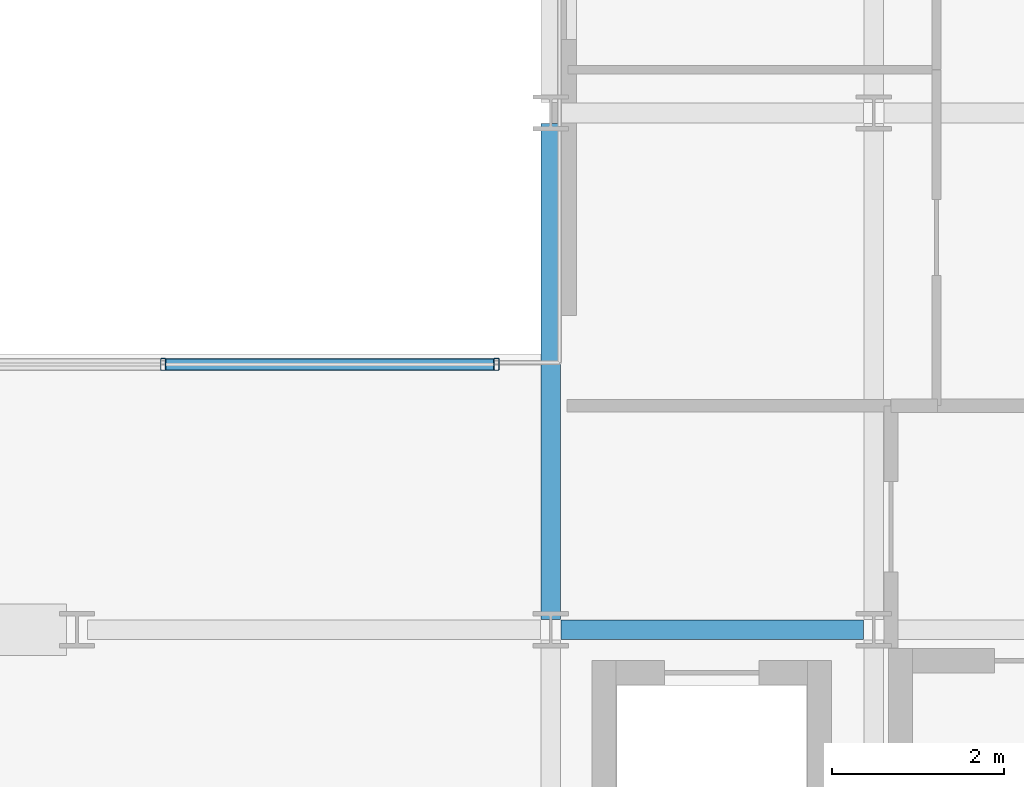
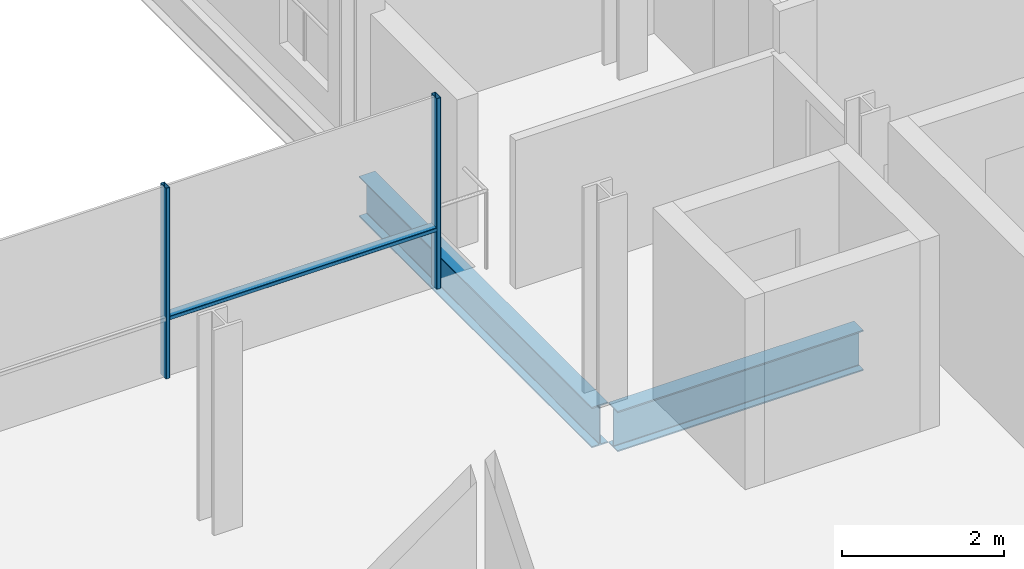
# One storey, part 13 of 39: 3 members, 2 beams, 1 element without a shape of its own.
"""IFC4 building model written with IfcOpenShell, lengths in metres."""

from ifc_helpers import new_model, si_unit, direction, frame, origin, origin_2d, place, context, subcontext, project, spatial, hollow_rectangle, i_section, extrude, material, layer, layer_set, material_profile, profile_set, type_object, element, aggregate, save


model = new_model("IFC4")

# Units and contexts
model_context = context("Model", 3, precision=1e-05, world=origin(), true_north=direction((0.0, 1.0)))
body_context = subcontext(model_context, "Body", "Model", "MODEL_VIEW")
ifc_project = project(units=[si_unit("LENGTHUNIT", "METRE"), si_unit("AREAUNIT", "SQUARE_METRE"), si_unit("VOLUMEUNIT", "CUBIC_METRE"), si_unit("PLANEANGLEUNIT", "RADIAN"), si_unit("MASSUNIT", "GRAM", prefix="KILO")], contexts=[model_context])

# Site, building, storey
site_placement = place(None, origin())
site = spatial("IfcSite", under=ifc_project, at=site_placement, CompositionType="ELEMENT")
building_placement = place(site_placement, origin())
building = spatial("IfcBuilding", under=site, at=building_placement, Name="Brevholm Reach", CompositionType="ELEMENT")
storey_placement = place(building_placement, frame((0.0, 0.0, 109.699951171875)))
storey = spatial("IfcBuildingStorey", under=building, at=storey_placement, Name="L32", CompositionType="ELEMENT", Elevation=109.699951171875)

# Beams
ifc_material_1 = material(Name="Structural Steel S355J2", Category="steel")
ifc_material_profile_1 = material_profile(ifc_material_1, i_section(OverallWidth=0.22900390625, OverallDepth=0.6123046875, WebThickness=0.011962890625, FlangeThickness=0.01953125, FilletRadius=0.0126953125, at=origin_2d()), Name="UKB 610x229x125")
ifc_profile_set_1 = profile_set([ifc_material_profile_1], Name="Structural Steel S355J2")
beam_type = type_object("IfcBeamType", Name="BM-SP610", PredefinedType="SPANDREL", material=ifc_profile_set_1)
beam_1_placement = place(storey_placement, frame((38.3701171875, 10.0, -0.526123046875), z_axis=(1.0, 0.0, 0.0), x_axis=(0.0, 1.0, 0.0)))
element("IfcBeam", 1, at=beam_1_placement, inside=storey, type_object=beam_type, Name="L32 SP-01 Framing Beam", PredefinedType="SPANDREL", context=body_context, shape_type="SweptSolid", body=[
    extrude(i_section(OverallWidth=0.22900390625, OverallDepth=0.6123046875, WebThickness=0.011962890625, FlangeThickness=0.01953125, FilletRadius=0.0126953125, at=origin_2d()), origin(), (0.0, 0.0, 1.0), 3.509765625),
])
beam_2_placement = place(storey_placement, frame((38.25, 10.1201171875, -0.526123046875), z_axis=(0.0, 1.0, 0.0), x_axis=(-1.0, 0.0, 0.0)))
element("IfcBeam", 2, at=beam_2_placement, inside=storey, type_object=beam_type, Name="L32 SP-01 Framing Beam", PredefinedType="SPANDREL", context=body_context, shape_type="SweptSolid", body=[
    extrude(i_section(OverallWidth=0.22900390625, OverallDepth=0.6123046875, WebThickness=0.011962890625, FlangeThickness=0.01953125, FilletRadius=0.0126953125, at=origin_2d()), origin(), (0.0, 0.0, 1.0), 5.759765625),
])

# Curtain wall, members
ifc_material_2 = material(Name="Dark Anodised Aluminium 6063-T6 and Solar-Control Glass", Category="aluminium")
ifc_layer = layer(ifc_material_2, 0.139892578125)
ifc_layer_set = layer_set([ifc_layer], Name="Dark Anodised Aluminium 6063-T6 and Solar-Control Glass")
curtain_wall_type = type_object("IfcCurtainWallType", Name="CW-02", PredefinedType="NOTDEFINED", material=ifc_layer_set)
curtain_wall_placement = place(storey_placement, origin())
curtain_wall = element("IfcCurtainWall", 3, at=curtain_wall_placement, inside=storey, type_object=curtain_wall_type, Name="L32 Curtain Wall CW-02", PredefinedType="NOTDEFINED")
ifc_material_3 = material(Name="Dark Anodised Aluminium 6063-T6", Category="aluminium")
ifc_material_profile_2 = material_profile(ifc_material_3, hollow_rectangle(XDim=0.06005859375, YDim=0.139892578125, WallThickness=0.0048828125, InnerFilletRadius=0.0048828125, OuterFilletRadius=0.010009765625, at=origin_2d()), Name="RHS 140x60x5")
ifc_profile_set_2 = profile_set([ifc_material_profile_2], Name="Dark Anodised Aluminium 6063-T6")
member_type_1 = type_object("IfcMemberType", Name="CWM-140", PredefinedType="MULLION", material=ifc_profile_set_2)
member_1_placement = place(storey_placement, frame((33.75, 13.080078125, 0.0), z_axis=(0.0, 0.0, 1.0), x_axis=(1.0, 0.0, 0.0)))
member_1 = element("IfcMember", 4, at=member_1_placement, type_object=member_type_1, Name="CM-140 Mullion 4", PredefinedType="MULLION", context=body_context, shape_type="SweptSolid", body=[
    extrude(hollow_rectangle(XDim=0.06005859375, YDim=0.139892578125, WallThickness=0.0048828125, InnerFilletRadius=0.0048828125, OuterFilletRadius=0.010009765625, at=origin_2d()), origin(), (0.0, 0.0, 1.0), 2.880126953125),
])
member_2_placement = place(storey_placement, frame((37.6201171875, 13.080078125, 0.0), z_axis=(0.0, 0.0, 1.0), x_axis=(1.0, 0.0, 0.0)))
member_2 = element("IfcMember", 5, at=member_2_placement, type_object=member_type_1, Name="CM-140 Mullion 5", PredefinedType="MULLION", context=body_context, shape_type="SweptSolid", body=[
    extrude(hollow_rectangle(XDim=0.06005859375, YDim=0.139892578125, WallThickness=0.0048828125, InnerFilletRadius=0.0048828125, OuterFilletRadius=0.010009765625, at=origin_2d()), origin(), (0.0, 0.0, 1.0), 2.880126953125),
])
ifc_material_4 = material(Name="Dark Anodised Aluminium 6063-T6", Category="aluminium")
ifc_material_profile_3 = material_profile(ifc_material_4, hollow_rectangle(XDim=0.06005859375, YDim=0.139892578125, WallThickness=0.0048828125, InnerFilletRadius=0.0048828125, OuterFilletRadius=0.010009765625, at=origin_2d()), Name="RHS 140x60x5")
ifc_profile_set_3 = profile_set([ifc_material_profile_3], Name="Dark Anodised Aluminium 6063-T6")
member_type_2 = type_object("IfcMemberType", Name="CWT-140", PredefinedType="NOTDEFINED", material=ifc_profile_set_3)
member_3_placement = place(storey_placement, frame((33.780029296875, 13.080078125, 0.900146484375), z_axis=(1.0, 0.0, 0.0), x_axis=(0.0, 0.0, 1.0)))
member_3 = element("IfcMember", 6, at=member_3_placement, type_object=member_type_2, Name="CT-140 Transom 4.1", ObjectType="TRANSOM", PredefinedType="USERDEFINED", context=body_context, shape_type="SweptSolid", body=[
    extrude(hollow_rectangle(XDim=0.06005859375, YDim=0.139892578125, WallThickness=0.0048828125, InnerFilletRadius=0.0048828125, OuterFilletRadius=0.010009765625, at=origin_2d()), origin(), (0.0, 0.0, 1.0), 3.81005859375),
])
aggregate(curtain_wall, [member_1, member_2, member_3])

save(model, "model.ifc")
